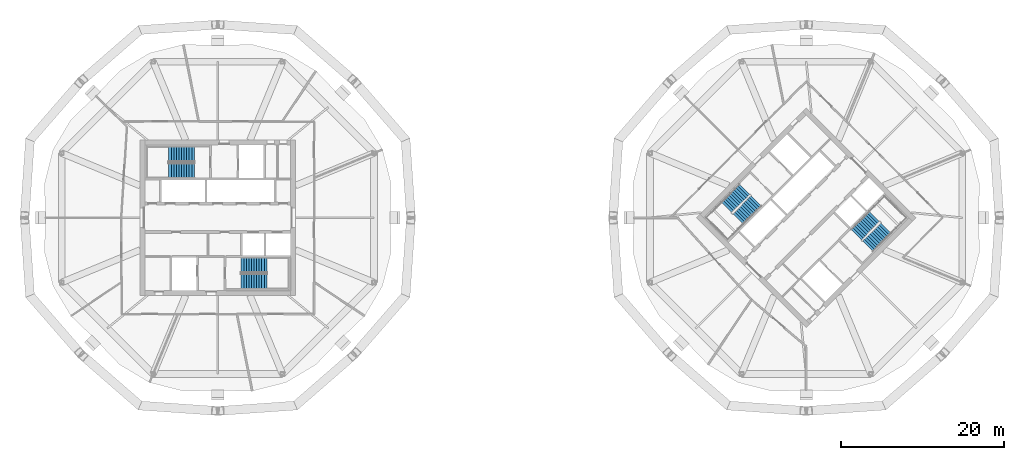
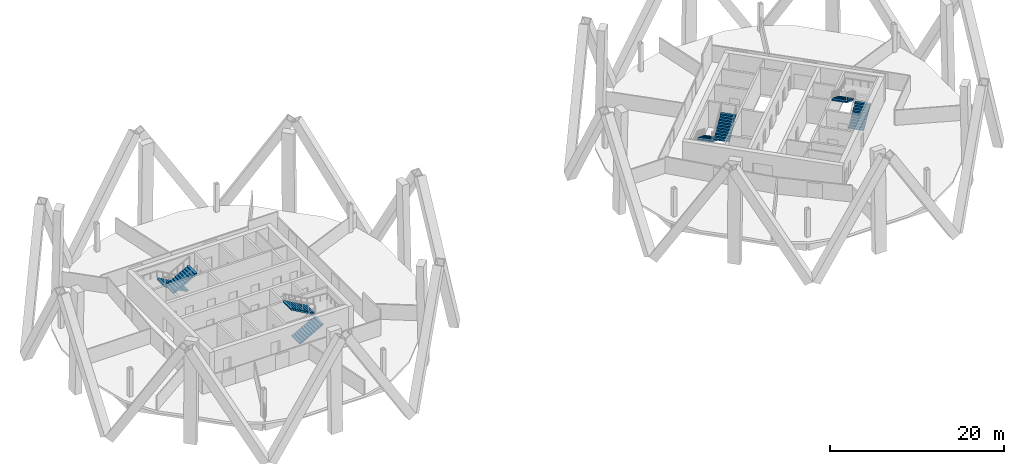
# One storey, part 8 of 10: 8 stair flights, 4 elements without a shape of their own.
"""IFC4 building model written with IfcOpenShell, lengths in metres."""

from ifc_helpers import new_model, si_unit, direction, frame, origin, place, context, subcontext, project, spatial, polyline, outline, extrude, material, type_object, element, aggregate, save


model = new_model("IFC4")

# Units and contexts
model_context = context("Model", 3, precision=1e-05, world=origin(), true_north=direction((0.0, 1.0)))
body_context = subcontext(model_context, "Body", "Model", "MODEL_VIEW")
ifc_project = project(units=[si_unit("LENGTHUNIT", "METRE"), si_unit("AREAUNIT", "SQUARE_METRE"), si_unit("VOLUMEUNIT", "CUBIC_METRE"), si_unit("PLANEANGLEUNIT", "RADIAN"), si_unit("MASSUNIT", "GRAM", prefix="KILO")], contexts=[model_context])

# Site, building, storey
site_placement = place(None, origin())
site = spatial("IfcSite", under=ifc_project, at=site_placement, CompositionType="ELEMENT")
building_placement = place(site_placement, origin())
building = spatial("IfcBuilding", under=site, at=building_placement, Name="Ogive Gate Towers", CompositionType="ELEMENT")
storey_placement = place(building_placement, frame((0.0, 0.0, 204.60009765625)))
storey = spatial("IfcBuildingStorey", under=building, at=storey_placement, Name="L49", CompositionType="ELEMENT", Elevation=204.60009765625)

# Stair, stair flights
ifc_material = material(Name="Concrete C40/50", Category="concrete")
stair_type = type_object("IfcStairType", Name="Escape stair 1840 wide", PredefinedType="HALF_TURN_STAIR", material=ifc_material)
stair_1_placement = place(storey_placement, origin())
stair_1 = element("IfcStair", 1, at=stair_1_placement, inside=storey, type_object=stair_type, Name="L49 Escape stair 1", PredefinedType="HALF_TURN_STAIR")
stair_flight_type = type_object("IfcStairFlightType", Name="Stair flight 1840 wide", PredefinedType="STRAIGHT", material=ifc_material)
stair_flight_1_placement = place(storey_placement, frame((-38.864990234375, 7.780029296875, 0.0), z_axis=(0.0, 0.0, 1.0), x_axis=(-1.0, 0.0, 0.0)))
stair_flight_1 = element("IfcStairFlight", 2, at=stair_flight_1_placement, type_object=stair_flight_type, Name="ST1 flight 1", NumberOfRisers=11, NumberOfTreads=10, PredefinedType="STRAIGHT", RiserHeight=0.177272727, TreadLength=0.313636364, context=body_context, shape_type="SweptSolid", body=[
    extrude(outline(polyline([(0.0, 0.0), (0.0, 0.17724609375), (0.313720703125, 0.17724609375), (0.313720703125, 0.3544921875), (0.627197265625, 0.3544921875), (0.627197265625, 0.53173828125), (0.94091796875, 0.53173828125), (0.94091796875, 0.708984375), (1.254638671875, 0.708984375), (1.254638671875, 0.886474609375), (1.568115234375, 0.886474609375), (1.568115234375, 1.063720703125), (1.8818359375, 1.063720703125), (1.8818359375, 1.240966796875), (2.195556640625, 1.240966796875), (2.195556640625, 1.418212890625), (2.509033203125, 1.418212890625), (2.509033203125, 1.595458984375), (2.82275390625, 1.595458984375), (2.82275390625, 1.772705078125), (3.136474609375, 1.772705078125), (3.136474609375, 1.949951171875), (3.136474609375, 1.6005859375), (0.3046875, 0.0), (0.0, 0.0)])), frame((0.0, 0.919921875, 0.0), z_axis=(0.0, -1.0, 0.0), x_axis=(1.0, 0.0, 0.0)), (0.0, 0.0, 1.0), 1.840087890625),
])
stair_flight_2_placement = place(storey_placement, frame((-42.00146484375, 5.794921875, 1.949951171875), z_axis=(0.0, 0.0, 1.0), x_axis=(1.0, 0.0, 0.0)))
stair_flight_2 = element("IfcStairFlight", 3, at=stair_flight_2_placement, type_object=stair_flight_type, Name="ST1 flight 2", NumberOfRisers=11, NumberOfTreads=10, PredefinedType="STRAIGHT", RiserHeight=0.177272727, TreadLength=0.313636364, context=body_context, shape_type="SweptSolid", body=[
    extrude(outline(polyline([(0.0, 0.0), (0.0, 0.17724609375), (0.313720703125, 0.17724609375), (0.313720703125, 0.3544921875), (0.627197265625, 0.3544921875), (0.627197265625, 0.53173828125), (0.94091796875, 0.53173828125), (0.94091796875, 0.708984375), (1.254638671875, 0.708984375), (1.254638671875, 0.886474609375), (1.568115234375, 0.886474609375), (1.568115234375, 1.063720703125), (1.8818359375, 1.063720703125), (1.8818359375, 1.240966796875), (2.195556640625, 1.240966796875), (2.195556640625, 1.418212890625), (2.509033203125, 1.418212890625), (2.509033203125, 1.595458984375), (2.82275390625, 1.595458984375), (2.82275390625, 1.772705078125), (3.136474609375, 1.772705078125), (3.136474609375, 1.949951171875), (3.136474609375, 1.6005859375), (0.3046875, 0.0), (0.0, 0.0)])), frame((0.0, 0.919921875, 0.0), z_axis=(0.0, -1.0, 0.0), x_axis=(1.0, 0.0, 0.0)), (0.0, 0.0, 1.0), 1.840087890625),
])
aggregate(stair_1, [stair_flight_1, stair_flight_2])

stair_2_placement = place(storey_placement, origin())
stair_2 = element("IfcStair", 4, at=stair_2_placement, inside=storey, type_object=stair_type, Name="L49 Escape stair 2", PredefinedType="HALF_TURN_STAIR")
stair_flight_3_placement = place(storey_placement, frame((-33.135009765625, -7.780029296875, 0.0), z_axis=(0.0, 0.0, 1.0), x_axis=(1.0, 0.0, 0.0)))
stair_flight_3 = element("IfcStairFlight", 5, at=stair_flight_3_placement, type_object=stair_flight_type, Name="ST2 flight 1", NumberOfRisers=11, NumberOfTreads=10, PredefinedType="STRAIGHT", RiserHeight=0.177272727, TreadLength=0.313636364, context=body_context, shape_type="SweptSolid", body=[
    extrude(outline(polyline([(0.0, 0.0), (0.0, 0.17724609375), (0.313720703125, 0.17724609375), (0.313720703125, 0.3544921875), (0.627197265625, 0.3544921875), (0.627197265625, 0.53173828125), (0.94091796875, 0.53173828125), (0.94091796875, 0.708984375), (1.254638671875, 0.708984375), (1.254638671875, 0.886474609375), (1.568115234375, 0.886474609375), (1.568115234375, 1.063720703125), (1.8818359375, 1.063720703125), (1.8818359375, 1.240966796875), (2.195556640625, 1.240966796875), (2.195556640625, 1.418212890625), (2.509033203125, 1.418212890625), (2.509033203125, 1.595458984375), (2.82275390625, 1.595458984375), (2.82275390625, 1.772705078125), (3.136474609375, 1.772705078125), (3.136474609375, 1.949951171875), (3.136474609375, 1.6005859375), (0.3046875, 0.0), (0.0, 0.0)])), frame((0.0, 0.919921875, 0.0), z_axis=(0.0, -1.0, 0.0), x_axis=(1.0, 0.0, 0.0)), (0.0, 0.0, 1.0), 1.840087890625),
])
stair_flight_4_placement = place(storey_placement, frame((-29.99853515625, -5.794921875, 1.949951171875), z_axis=(0.0, 0.0, 1.0), x_axis=(-1.0, 0.0, 0.0)))
stair_flight_4 = element("IfcStairFlight", 6, at=stair_flight_4_placement, type_object=stair_flight_type, Name="ST2 flight 2", NumberOfRisers=11, NumberOfTreads=10, PredefinedType="STRAIGHT", RiserHeight=0.177272727, TreadLength=0.313636364, context=body_context, shape_type="SweptSolid", body=[
    extrude(outline(polyline([(0.0, 0.0), (0.0, 0.17724609375), (0.313720703125, 0.17724609375), (0.313720703125, 0.3544921875), (0.627197265625, 0.3544921875), (0.627197265625, 0.53173828125), (0.94091796875, 0.53173828125), (0.94091796875, 0.708984375), (1.254638671875, 0.708984375), (1.254638671875, 0.886474609375), (1.568115234375, 0.886474609375), (1.568115234375, 1.063720703125), (1.8818359375, 1.063720703125), (1.8818359375, 1.240966796875), (2.195556640625, 1.240966796875), (2.195556640625, 1.418212890625), (2.509033203125, 1.418212890625), (2.509033203125, 1.595458984375), (2.82275390625, 1.595458984375), (2.82275390625, 1.772705078125), (3.136474609375, 1.772705078125), (3.136474609375, 1.949951171875), (3.136474609375, 1.6005859375), (0.3046875, 0.0), (0.0, 0.0)])), frame((0.0, 0.919921875, 0.0), z_axis=(0.0, -1.0, 0.0), x_axis=(1.0, 0.0, 0.0)), (0.0, 0.0, 1.0), 1.840087890625),
])
aggregate(stair_2, [stair_flight_3, stair_flight_4])

stair_3_placement = place(storey_placement, origin())
stair_3 = element("IfcStair", 7, at=stair_3_placement, inside=storey, type_object=stair_type, Name="L49 Escape stair 1", PredefinedType="HALF_TURN_STAIR")
stair_flight_5_placement = place(storey_placement, frame((28.472900390625, 3.475341796875, 0.0), z_axis=(0.0, 0.0, 1.0), x_axis=(-0.707106781187, -0.707106781187, 0.0)))
stair_flight_5 = element("IfcStairFlight", 8, at=stair_flight_5_placement, type_object=stair_flight_type, Name="ST1 flight 1", NumberOfRisers=11, NumberOfTreads=10, PredefinedType="STRAIGHT", RiserHeight=0.177272727, TreadLength=0.313636364, context=body_context, shape_type="SweptSolid", body=[
    extrude(outline(polyline([(0.0, 0.0), (0.0, 0.17724609375), (0.313720703125, 0.17724609375), (0.313720703125, 0.3544921875), (0.627197265625, 0.3544921875), (0.627197265625, 0.53173828125), (0.94091796875, 0.53173828125), (0.94091796875, 0.708984375), (1.254638671875, 0.708984375), (1.254638671875, 0.886474609375), (1.568115234375, 0.886474609375), (1.568115234375, 1.063720703125), (1.8818359375, 1.063720703125), (1.8818359375, 1.240966796875), (2.195556640625, 1.240966796875), (2.195556640625, 1.418212890625), (2.509033203125, 1.418212890625), (2.509033203125, 1.595458984375), (2.82275390625, 1.595458984375), (2.82275390625, 1.772705078125), (3.136474609375, 1.772705078125), (3.136474609375, 1.949951171875), (3.136474609375, 1.6005859375), (0.3046875, 0.0), (0.0, 0.0)])), frame((0.0, 0.919921875, 0.0), z_axis=(0.0, -1.0, 0.0), x_axis=(1.0, 0.0, 0.0)), (0.0, 0.0, 1.0), 1.840087890625),
])
stair_flight_6_placement = place(storey_placement, frame((27.65869140625, -0.14599609375, 1.949951171875), z_axis=(0.0, 0.0, 1.0), x_axis=(0.707106781187, 0.707106781187, 0.0)))
stair_flight_6 = element("IfcStairFlight", 9, at=stair_flight_6_placement, type_object=stair_flight_type, Name="ST1 flight 2", NumberOfRisers=11, NumberOfTreads=10, PredefinedType="STRAIGHT", RiserHeight=0.177272727, TreadLength=0.313636364, context=body_context, shape_type="SweptSolid", body=[
    extrude(outline(polyline([(0.0, 0.0), (0.0, 0.17724609375), (0.313720703125, 0.17724609375), (0.313720703125, 0.3544921875), (0.627197265625, 0.3544921875), (0.627197265625, 0.53173828125), (0.94091796875, 0.53173828125), (0.94091796875, 0.708984375), (1.254638671875, 0.708984375), (1.254638671875, 0.886474609375), (1.568115234375, 0.886474609375), (1.568115234375, 1.063720703125), (1.8818359375, 1.063720703125), (1.8818359375, 1.240966796875), (2.195556640625, 1.240966796875), (2.195556640625, 1.418212890625), (2.509033203125, 1.418212890625), (2.509033203125, 1.595458984375), (2.82275390625, 1.595458984375), (2.82275390625, 1.772705078125), (3.136474609375, 1.772705078125), (3.136474609375, 1.949951171875), (3.136474609375, 1.6005859375), (0.3046875, 0.0), (0.0, 0.0)])), frame((0.0, 0.919921875, 0.0), z_axis=(0.0, -1.0, 0.0), x_axis=(1.0, 0.0, 0.0)), (0.0, 0.0, 1.0), 1.840087890625),
])
aggregate(stair_3, [stair_flight_5, stair_flight_6])

stair_4_placement = place(storey_placement, origin())
stair_4 = element("IfcStair", 10, at=stair_4_placement, inside=storey, type_object=stair_type, Name="L49 Escape stair 2", PredefinedType="HALF_TURN_STAIR")
stair_flight_7_placement = place(storey_placement, frame((43.527099609375, -3.475341796875, 0.0), z_axis=(0.0, 0.0, 1.0), x_axis=(0.707106781187, 0.707106781187, 0.0)))
stair_flight_7 = element("IfcStairFlight", 11, at=stair_flight_7_placement, type_object=stair_flight_type, Name="ST2 flight 1", NumberOfRisers=11, NumberOfTreads=10, PredefinedType="STRAIGHT", RiserHeight=0.177272727, TreadLength=0.313636364, context=body_context, shape_type="SweptSolid", body=[
    extrude(outline(polyline([(0.0, 0.0), (0.0, 0.17724609375), (0.313720703125, 0.17724609375), (0.313720703125, 0.3544921875), (0.627197265625, 0.3544921875), (0.627197265625, 0.53173828125), (0.94091796875, 0.53173828125), (0.94091796875, 0.708984375), (1.254638671875, 0.708984375), (1.254638671875, 0.886474609375), (1.568115234375, 0.886474609375), (1.568115234375, 1.063720703125), (1.8818359375, 1.063720703125), (1.8818359375, 1.240966796875), (2.195556640625, 1.240966796875), (2.195556640625, 1.418212890625), (2.509033203125, 1.418212890625), (2.509033203125, 1.595458984375), (2.82275390625, 1.595458984375), (2.82275390625, 1.772705078125), (3.136474609375, 1.772705078125), (3.136474609375, 1.949951171875), (3.136474609375, 1.6005859375), (0.3046875, 0.0), (0.0, 0.0)])), frame((0.0, 0.919921875, 0.0), z_axis=(0.0, -1.0, 0.0), x_axis=(1.0, 0.0, 0.0)), (0.0, 0.0, 1.0), 1.840087890625),
])
stair_flight_8_placement = place(storey_placement, frame((44.34130859375, 0.14599609375, 1.949951171875), z_axis=(0.0, 0.0, 1.0), x_axis=(-0.707106781187, -0.707106781187, 0.0)))
stair_flight_8 = element("IfcStairFlight", 12, at=stair_flight_8_placement, type_object=stair_flight_type, Name="ST2 flight 2", NumberOfRisers=11, NumberOfTreads=10, PredefinedType="STRAIGHT", RiserHeight=0.177272727, TreadLength=0.313636364, context=body_context, shape_type="SweptSolid", body=[
    extrude(outline(polyline([(0.0, 0.0), (0.0, 0.17724609375), (0.313720703125, 0.17724609375), (0.313720703125, 0.3544921875), (0.627197265625, 0.3544921875), (0.627197265625, 0.53173828125), (0.94091796875, 0.53173828125), (0.94091796875, 0.708984375), (1.254638671875, 0.708984375), (1.254638671875, 0.886474609375), (1.568115234375, 0.886474609375), (1.568115234375, 1.063720703125), (1.8818359375, 1.063720703125), (1.8818359375, 1.240966796875), (2.195556640625, 1.240966796875), (2.195556640625, 1.418212890625), (2.509033203125, 1.418212890625), (2.509033203125, 1.595458984375), (2.82275390625, 1.595458984375), (2.82275390625, 1.772705078125), (3.136474609375, 1.772705078125), (3.136474609375, 1.949951171875), (3.136474609375, 1.6005859375), (0.3046875, 0.0), (0.0, 0.0)])), frame((0.0, 0.919921875, 0.0), z_axis=(0.0, -1.0, 0.0), x_axis=(1.0, 0.0, 0.0)), (0.0, 0.0, 1.0), 1.840087890625),
])
aggregate(stair_4, [stair_flight_7, stair_flight_8])

save(model, "model.ifc")
